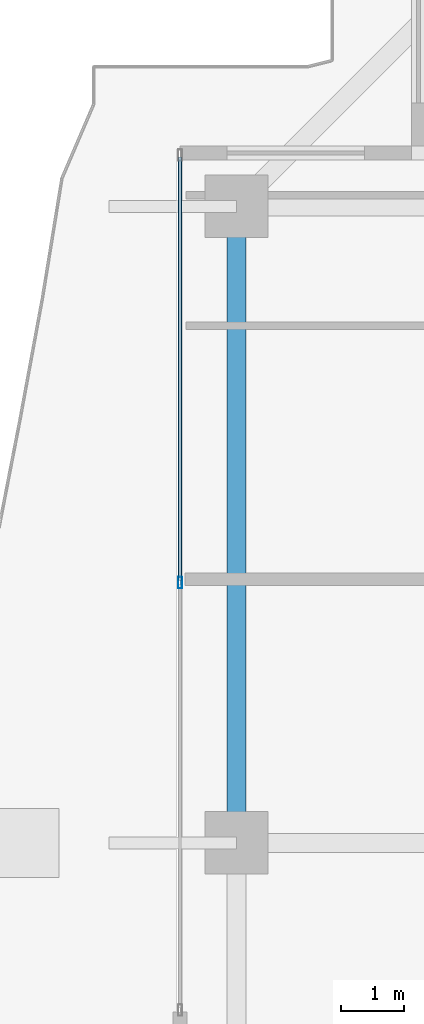
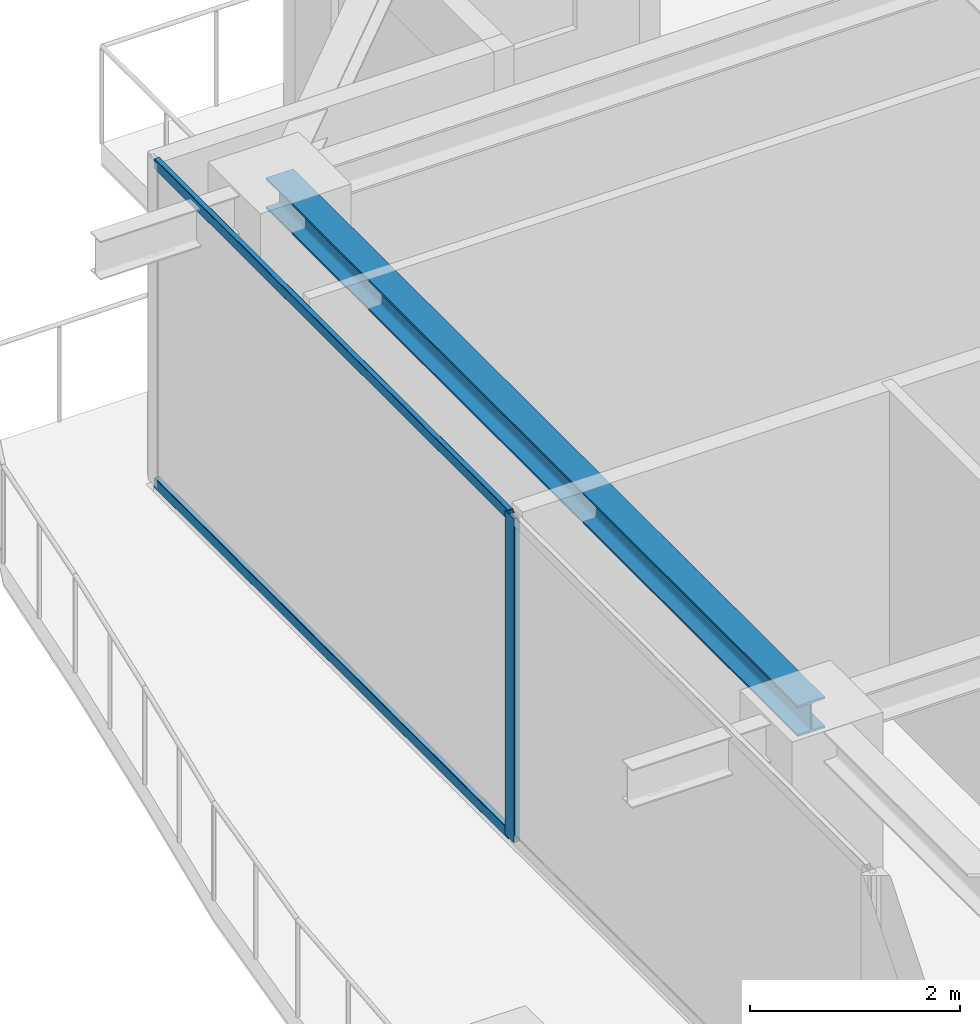
# One storey, part 17 of 38: 3 members, 1 beam, 1 element without a shape of its own.
"""IFC4 building model written with IfcOpenShell, lengths in metres."""

from ifc_helpers import new_model, si_unit, direction, frame, origin, origin_2d, place, context, subcontext, project, spatial, hollow_rectangle, i_section, extrude, source, transform, mapped, material, layer, layer_set, material_profile, profile_set, type_object, element, aggregate, save


model = new_model("IFC4")

# Units and contexts
model_context = context("Model", 3, precision=1e-05, world=origin(), true_north=direction((0.0, 1.0)))
body_context = subcontext(model_context, "Body", "Model", "MODEL_VIEW")
ifc_project = project(units=[si_unit("LENGTHUNIT", "METRE"), si_unit("AREAUNIT", "SQUARE_METRE"), si_unit("VOLUMEUNIT", "CUBIC_METRE"), si_unit("PLANEANGLEUNIT", "RADIAN"), si_unit("MASSUNIT", "GRAM", prefix="KILO")], contexts=[model_context])

# Site, building, storey
site_placement = place(None, origin())
site = spatial("IfcSite", under=ifc_project, at=site_placement, CompositionType="ELEMENT")
building_placement = place(site_placement, origin())
building = spatial("IfcBuilding", under=site, at=building_placement, Name="Serunith Strait Residences", CompositionType="ELEMENT")
storey_placement = place(building_placement, frame((0.0, 0.0, 321.800048828125)))
storey = spatial("IfcBuildingStorey", under=building, at=storey_placement, Name="L80", CompositionType="ELEMENT", Elevation=321.800048828125)

# Beam
ifc_material_1 = material(Name="Steel S355J2", Category="steel")
ifc_material_profile_1 = material_profile(ifc_material_1, i_section(OverallWidth=0.300048828125, OverallDepth=0.360107421875, WebThickness=0.012451171875, FlangeThickness=0.0224609375, FilletRadius=0.027099609375, at=origin_2d()), Name="HEB 360")
ifc_profile_set_1 = profile_set([ifc_material_profile_1], Name="Steel S355J2")
beam_type = type_object("IfcBeamType", Name="BM-HEB360", PredefinedType="BEAM", material=ifc_profile_set_1)
shared_shape_1 = source(origin(), body_context, "Body", "SweptSolid", [
    extrude(i_section(OverallWidth=0.300048828125, OverallDepth=0.360107421875, WebThickness=0.012451171875, FlangeThickness=0.0224609375, FilletRadius=0.027099609375, at=origin_2d()), origin(), (0.0, 0.0, 1.0), 10.150146484375),
])
beam_placement = place(storey_placement, frame((10.10009765625, 39.550048828125, 3.60693359375), z_axis=(0.0, -1.0, 0.0), x_axis=(1.0, 0.0, 0.0)))
element("IfcBeam", 1, at=beam_placement, inside=storey, type_object=beam_type, Name="L80 Perimeter Ring Beam 13", PredefinedType="BEAM", context=body_context, shape_type="MappedRepresentation", body=[
    mapped(shared_shape_1, transform((0.0, 0.0, 0.0), scale=1.0)),
])

# Curtain wall, members
ifc_material_2 = material(Name="Brushed Stainless-Silver Aluminium", Category="aluminium")
ifc_layer = layer(ifc_material_2, 0.199951171875, Name="Brushed Stainless-Silver Aluminium")
ifc_layer_set = layer_set([ifc_layer], Name="Brushed Stainless-Silver Aluminium")
curtain_wall_type = type_object("IfcCurtainWallType", Name="CW-SYS5", PredefinedType="NOTDEFINED", material=ifc_layer_set)
curtain_wall_placement = place(storey_placement, origin())
curtain_wall = element("IfcCurtainWall", 2, at=curtain_wall_placement, inside=storey, type_object=curtain_wall_type, Name="L80 W Unitised Fritted Curtain Wall", PredefinedType="NOTDEFINED")
ifc_material_profile_2 = material_profile(ifc_material_2, hollow_rectangle(XDim=0.06005859375, YDim=0.1201171875, WallThickness=0.00341796875, InnerFilletRadius=0.00537109375, OuterFilletRadius=0.0087890625, at=origin_2d()), Name="ALU 120x60x3.5")
ifc_profile_set_2 = profile_set([ifc_material_profile_2], Name="Brushed Stainless-Silver Aluminium")
member_type_1 = type_object("IfcMemberType", Name="CW-SYS5-TRAN", PredefinedType="USERDEFINED", material=ifc_profile_set_2)
shared_shape_2 = source(origin(), body_context, "Body", "SweptSolid", [
    extrude(hollow_rectangle(XDim=0.06005859375, YDim=0.1201171875, WallThickness=0.00341796875, InnerFilletRadius=0.00537109375, OuterFilletRadius=0.0087890625, at=origin_2d()), origin(), (0.0, 0.0, 1.0), 6.75244140625),
])
member_1_placement = place(storey_placement, frame((9.199951171875, 40.3349609375, 0.030029296875), z_axis=(0.0, -1.0, 0.0), x_axis=(1.0, 0.0, 0.0)))
member_1 = element("IfcMember", 3, at=member_1_placement, type_object=member_type_1, Name="CW-5 transom 1.1", ObjectType="TRANSOM", PredefinedType="USERDEFINED", context=body_context, shape_type="MappedRepresentation", body=[
    mapped(shared_shape_2, transform((0.0, 0.0, 0.0), scale=1.0)),
])
member_2_placement = place(storey_placement, frame((9.199951171875, 40.3349609375, 3.744873046875), z_axis=(0.0, -1.0, 0.0), x_axis=(1.0, 0.0, 0.0)))
member_2 = element("IfcMember", 4, at=member_2_placement, type_object=member_type_1, Name="CW-5 transom 1.2", ObjectType="TRANSOM", PredefinedType="USERDEFINED", context=body_context, shape_type="MappedRepresentation", body=[
    mapped(shared_shape_2, transform((0.0, 0.0, 0.0), scale=1.0)),
])
ifc_material_profile_3 = material_profile(ifc_material_2, hollow_rectangle(XDim=0.06494140625, YDim=0.179931640625, WallThickness=0.00341796875, InnerFilletRadius=0.00537109375, OuterFilletRadius=0.0087890625, at=origin_2d()), Name="ALU 180x65x3.5")
ifc_profile_set_3 = profile_set([ifc_material_profile_3], Name="Brushed Stainless-Silver Aluminium")
member_type_2 = type_object("IfcMemberType", Name="CW-SYS5-MULL", PredefinedType="MULLION", material=ifc_profile_set_3)
shared_shape_3 = source(origin(), body_context, "Body", "SweptSolid", [
    extrude(hollow_rectangle(XDim=0.06494140625, YDim=0.179931640625, WallThickness=0.00341796875, InnerFilletRadius=0.00537109375, OuterFilletRadius=0.0087890625, at=origin_2d()), origin(), (0.0, 0.0, 1.0), 3.77490234375),
])
member_3_placement = place(storey_placement, frame((9.199951171875, 33.550048828125, 0.0), z_axis=(0.0, 0.0, 1.0), x_axis=(1.0, 0.0, 0.0)))
member_3 = element("IfcMember", 5, at=member_3_placement, type_object=member_type_2, Name="CW-5 mullion 2", PredefinedType="MULLION", context=body_context, shape_type="MappedRepresentation", body=[
    mapped(shared_shape_3, transform((0.0, 0.0, 0.0), scale=1.0)),
])
aggregate(curtain_wall, [member_3, member_1, member_2])

save(model, "model.ifc")
